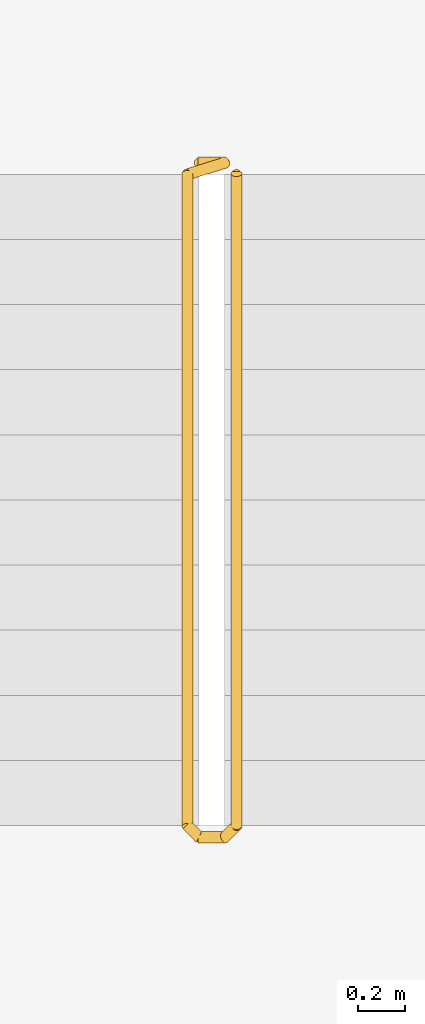
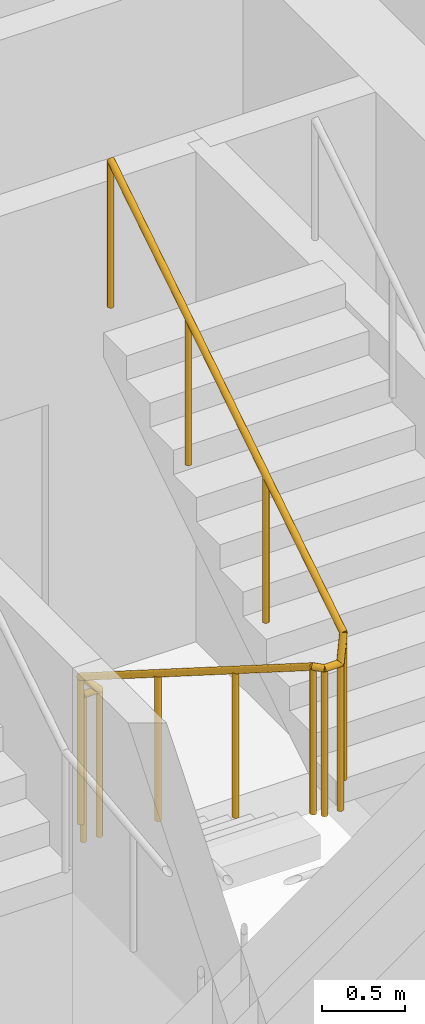
# One storey, part 18 of 18: 1 railing.
"""IFC4 building model written with IfcOpenShell, lengths in metres."""

from ifc_helpers import new_model, si_unit, direction, frame, origin, origin_2d, place, context, subcontext, project, spatial, circle, extrude, material, type_object, element, save


model = new_model("IFC4")

# Units and contexts
model_context = context("Model", 3, precision=1e-05, world=origin(), true_north=direction((0.0, 1.0)))
body_context = subcontext(model_context, "Body", "Model", "MODEL_VIEW")
ifc_project = project(units=[si_unit("LENGTHUNIT", "METRE"), si_unit("AREAUNIT", "SQUARE_METRE"), si_unit("VOLUMEUNIT", "CUBIC_METRE"), si_unit("PLANEANGLEUNIT", "RADIAN"), si_unit("MASSUNIT", "GRAM", prefix="KILO")], contexts=[model_context])

# Site, building, storey
site_placement = place(None, origin())
site = spatial("IfcSite", under=ifc_project, at=site_placement, CompositionType="ELEMENT")
building_placement = place(site_placement, origin())
building = spatial("IfcBuilding", under=site, at=building_placement, Name="Tessera Arch", CompositionType="ELEMENT")
storey_placement = place(building_placement, frame((0.0, 0.0, 185.60009765625)))
storey = spatial("IfcBuildingStorey", under=building, at=storey_placement, Name="L44", CompositionType="ELEMENT", Elevation=185.60009765625)

# Railing
ifc_material = material(Name="Painted steel balustrade", Category="steel")
railing_type = type_object("IfcRailingType", Name="Stair guard 1100", PredefinedType="GUARDRAIL", material=ifc_material)
railing_placement = place(storey_placement, frame((44.919921875, 43.6298828125, 0.0)))
element("IfcRailing", 1, at=railing_placement, inside=storey, type_object=railing_type, Name="L44 S1c stair guard 1", PredefinedType="GUARDRAIL", context=body_context, shape_type="SweptSolid", body=[
    extrude(circle(Radius=0.02392578125, at=origin_2d()), frame((-0.00390625, 0.0, 1.076171875), z_axis=(1.0, 0.0, 0.0), x_axis=(0.0, 1.0, 0.0)), (0.0, 0.0, 1.0), 0.1181640625),
    extrude(circle(Radius=0.02392578125, at=origin_2d()), frame((0.11279296875, 0.000732421875, 1.0732421875), z_axis=(-0.65574896516, -0.204233265485, 0.726830150696), x_axis=(0.297361876254, -0.954764847777, 0.0)), (0.0, 0.0, 1.0), 0.251953125),
    extrude(circle(Radius=0.02392578125, at=origin_2d()), frame((-0.0498046875, -0.04638671875, 1.251220703125), z_axis=(0.0, -0.844908973607, 0.534910110503), x_axis=(1.0, 0.0, 0.0)), (0.0, 0.0, 1.0), 3.322021484375),
    extrude(circle(Radius=0.02392578125, at=origin_2d()), frame((-0.052734375, -2.846923828125, 3.02587890625), z_axis=(0.705375805398, -0.708833529934, 0.0), x_axis=(0.708833529934, 0.705375805398, 0.0)), (0.0, 0.0, 1.0), 0.07861328125),
    extrude(circle(Radius=0.02392578125, at=origin_2d()), frame((-0.00390625, -2.89990234375, 3.02587890625), z_axis=(1.0, 0.0, 0.0), x_axis=(0.0, 1.0, 0.0)), (0.0, 0.0, 1.0), 0.1181640625),
    extrude(circle(Radius=0.02392578125, at=origin_2d()), frame((0.109130859375, -2.90087890625, 3.022216796875), z_axis=(0.262233686654, 0.262233686654, 0.928691007369), x_axis=(-0.707106781187, 0.707106781187, 0.0)), (0.0, 0.0, 1.0), 0.198974609375),
    extrude(circle(Radius=0.02392578125, at=origin_2d()), frame((0.16015625, -2.853271484375, 3.201171875), z_axis=(0.0, 0.844908973607, 0.534910110503), x_axis=(-1.0, 0.0, 0.0)), (0.0, 0.0, 1.0), 3.322021484375),
    extrude(circle(Radius=0.02099609375, at=origin_2d()), origin(), (0.0, 0.0, 1.0), 1.06396484375),
    extrude(circle(Radius=0.02099609375, at=origin_2d()), frame((0.110107421875, 0.0, 0.0)), (0.0, 0.0, 1.0), 1.06396484375),
    extrude(circle(Radius=0.02099609375, at=origin_2d()), frame((-0.0498046875, -0.0498046875, 0.17724609375)), (0.0, 0.0, 1.0), 1.06396484375),
    extrude(circle(Radius=0.02099609375, at=origin_2d()), frame((-0.0498046875, -0.983154296875, 0.76806640625)), (0.0, 0.0, 1.0), 1.06396484375),
    extrude(circle(Radius=0.02099609375, at=origin_2d()), frame((-0.0498046875, -1.91650390625, 1.359130859375)), (0.0, 0.0, 1.0), 1.06396484375),
    extrude(circle(Radius=0.02099609375, at=origin_2d()), frame((-0.0498046875, -2.849853515625, 1.949951171875)), (0.0, 0.0, 1.0), 1.06396484375),
    extrude(circle(Radius=0.02099609375, at=origin_2d()), frame((0.0, -2.89990234375, 1.949951171875)), (0.0, 0.0, 1.0), 1.06396484375),
    extrude(circle(Radius=0.02099609375, at=origin_2d()), frame((0.110107421875, -2.89990234375, 1.949951171875)), (0.0, 0.0, 1.0), 1.06396484375),
    extrude(circle(Radius=0.02099609375, at=origin_2d()), frame((0.16015625, -2.849853515625, 2.127197265625)), (0.0, 0.0, 1.0), 1.06396484375),
    extrude(circle(Radius=0.02099609375, at=origin_2d()), frame((0.16015625, -1.91650390625, 2.718017578125)), (0.0, 0.0, 1.0), 1.06396484375),
    extrude(circle(Radius=0.02099609375, at=origin_2d()), frame((0.16015625, -0.983154296875, 3.30908203125)), (0.0, 0.0, 1.0), 1.06396484375),
    extrude(circle(Radius=0.02099609375, at=origin_2d()), frame((0.16015625, -0.0498046875, 3.89990234375)), (0.0, 0.0, 1.0), 1.06396484375),
])

save(model, "model.ifc")
